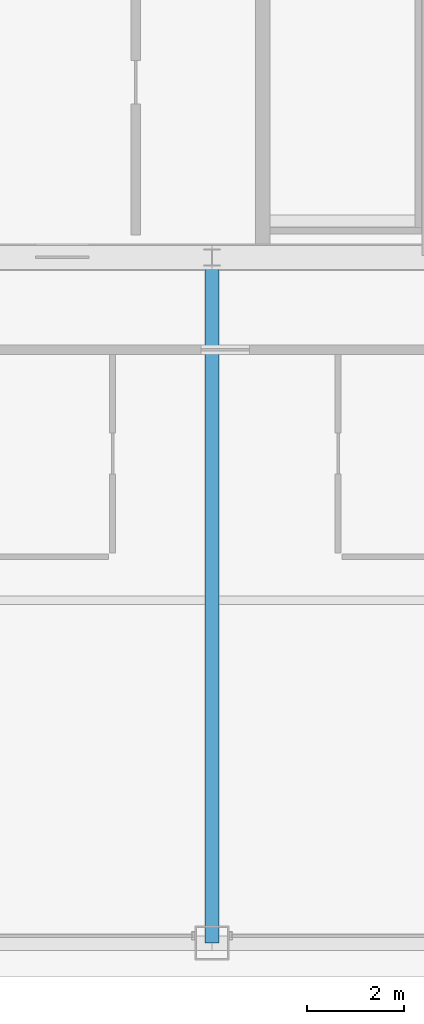
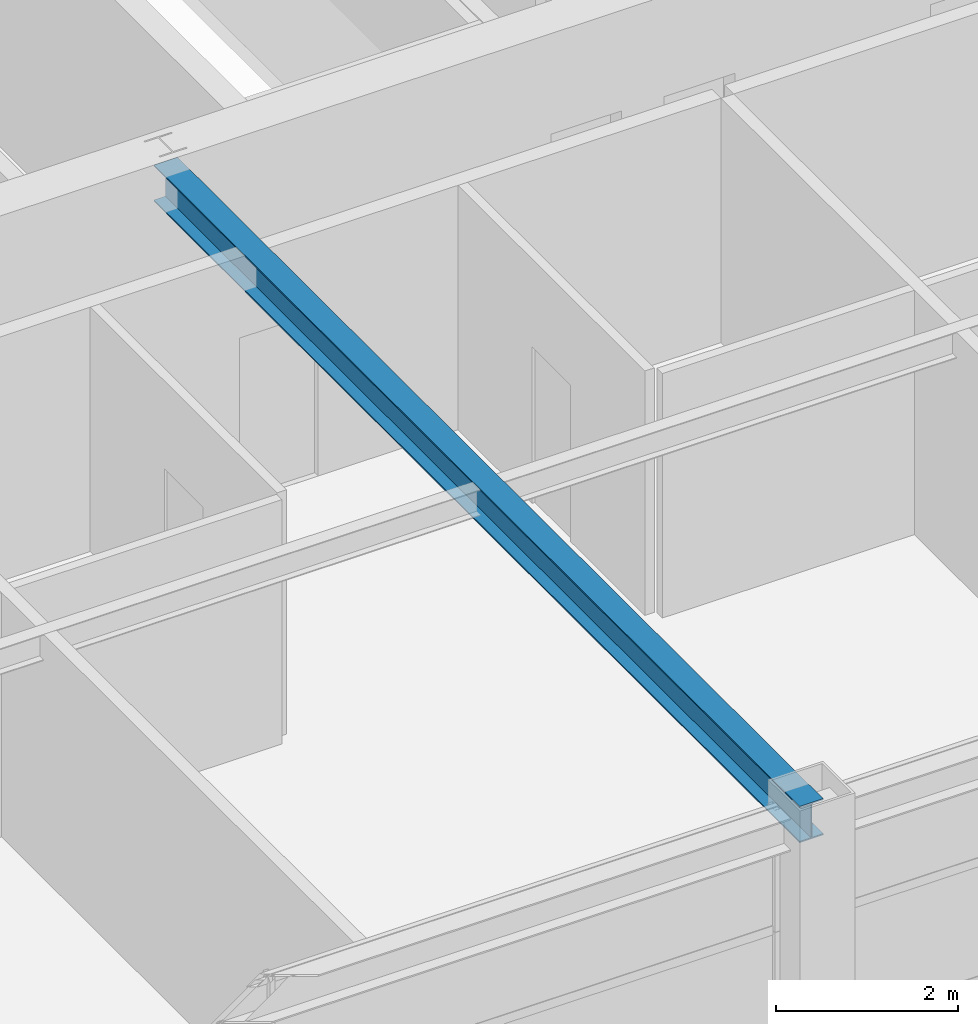
# One storey, part 11 of 37: 1 beam.
"""IFC4 building model written with IfcOpenShell, lengths in metres."""

from ifc_helpers import new_model, si_unit, direction, frame, origin, origin_2d, place, context, subcontext, project, spatial, i_section, extrude, source, transform, mapped, material, material_profile, profile_set, type_object, element, save


model = new_model("IFC4")

# Units and contexts
model_context = context("Model", 3, precision=1e-05, world=origin(), true_north=direction((0.0, 1.0)))
body_context = subcontext(model_context, "Body", "Model", "MODEL_VIEW")
ifc_project = project(units=[si_unit("LENGTHUNIT", "METRE"), si_unit("AREAUNIT", "SQUARE_METRE"), si_unit("VOLUMEUNIT", "CUBIC_METRE"), si_unit("PLANEANGLEUNIT", "RADIAN"), si_unit("MASSUNIT", "GRAM", prefix="KILO"), si_unit("THERMODYNAMICTEMPERATUREUNIT", "KELVIN"), si_unit("POWERUNIT", "WATT")], contexts=[model_context])

# Site, building, storey
site_placement = place(None, origin())
site = spatial("IfcSite", under=ifc_project, at=site_placement, CompositionType="ELEMENT")
building_placement = place(site_placement, origin())
building = spatial("IfcBuilding", under=site, at=building_placement, Name="Yuzanri Waterfront Tower", CompositionType="ELEMENT")
storey_placement = place(building_placement, frame((0.0, 0.0, 275.10009765625)))
storey = spatial("IfcBuildingStorey", under=building, at=storey_placement, Name="L73", CompositionType="ELEMENT", Elevation=275.10009765625)

# Beam
ifc_material = material(Name="Steel Q355B", Category="steel")
ifc_material_profile = material_profile(ifc_material, i_section(OverallWidth=0.300048828125, OverallDepth=0.488037109375, WebThickness=0.010986328125, FlangeThickness=0.01806640625, at=origin_2d()), Name="HM 488x300x11x18")
ifc_profile_set = profile_set([ifc_material_profile], Name="Steel Q355B")
beam_type = type_object("IfcBeamType", Name="Primary Floor Girder Q355B HM 488x300", PredefinedType="BEAM", material=ifc_profile_set)
shared_shape = source(origin(), body_context, "Body", "SweptSolid", [
    extrude(i_section(OverallWidth=0.300048828125, OverallDepth=0.488037109375, WebThickness=0.010986328125, FlangeThickness=0.01806640625, at=origin_2d()), origin(), (0.0, 0.0, 1.0), 14.199951171875),
])
beam_placement = place(storey_placement, frame((37.0, 19.39990234375, 3.035888671875), z_axis=(0.0, -1.0, 0.0), x_axis=(1.0, 0.0, 0.0)))
element("IfcBeam", 1, at=beam_placement, inside=storey, type_object=beam_type, Name="L73 South Grid Girder", PredefinedType="BEAM", context=body_context, shape_type="MappedRepresentation", body=[
    mapped(shared_shape, transform((0.0, 0.0, 0.0), scale=1.0)),
])

save(model, "model.ifc")
